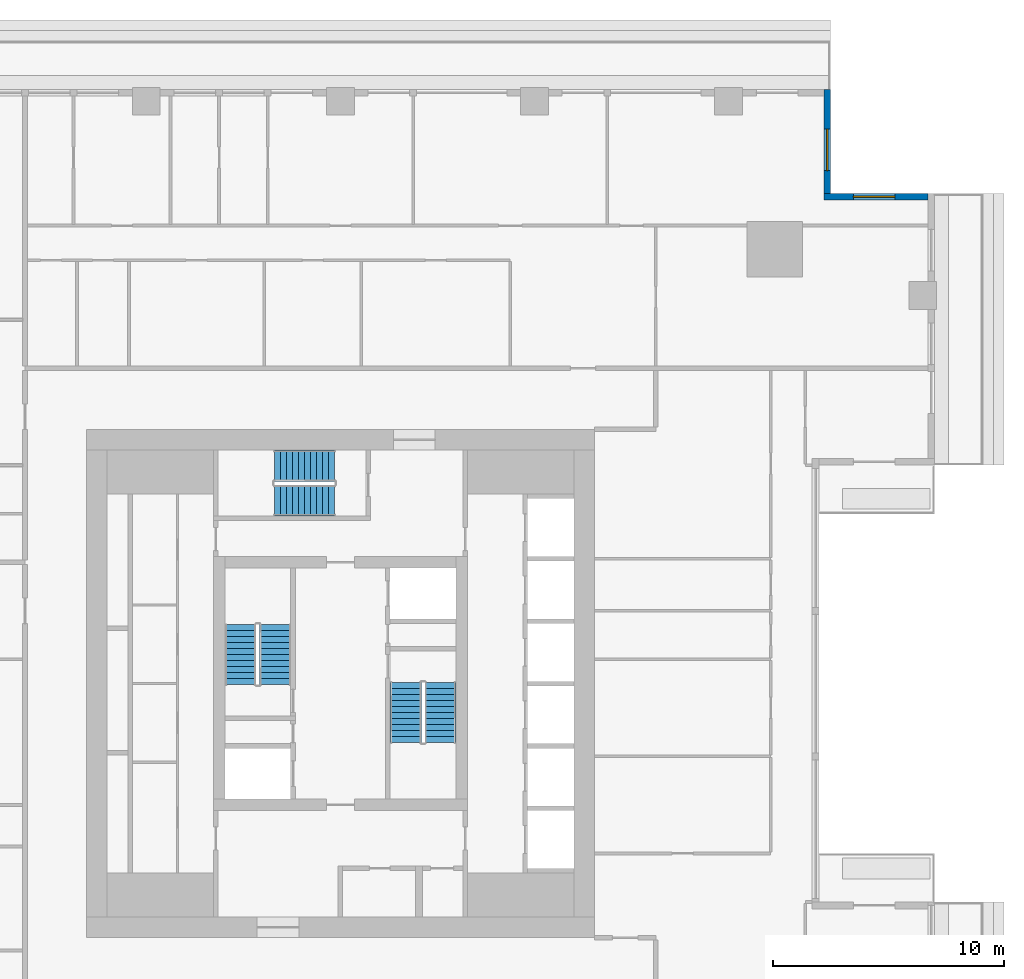
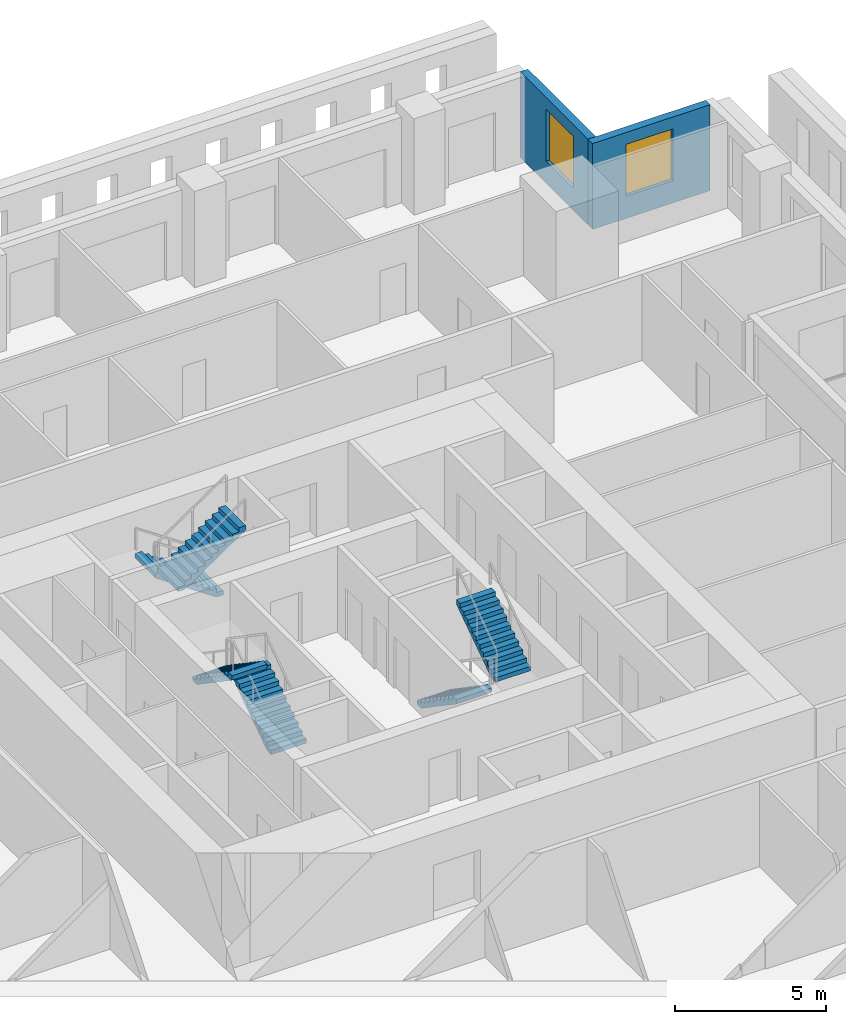
# One storey, part 9 of 15: 6 stair flights, 2 walls, 2 windows, 2 openings, 3 elements without a shape of their own.
"""IFC4 building model written with IfcOpenShell, lengths in metres."""

from ifc_helpers import new_model, si_unit, direction, frame, frame_2d, origin, place, context, subcontext, project, spatial, polyline, rectangle, outline, extrude, material, layer, layer_set, type_object, element, fill, aggregate, save


model = new_model("IFC4")

# Units and contexts
model_context = context("Model", 3, precision=1e-05, world=origin(), true_north=direction((0.0, 1.0)))
body_context = subcontext(model_context, "Body", "Model", "MODEL_VIEW")
ifc_project = project(units=[si_unit("LENGTHUNIT", "METRE"), si_unit("AREAUNIT", "SQUARE_METRE"), si_unit("VOLUMEUNIT", "CUBIC_METRE"), si_unit("PLANEANGLEUNIT", "RADIAN"), si_unit("MASSUNIT", "GRAM", prefix="KILO")], contexts=[model_context])

# Site, building, storey
site_placement = place(None, origin())
site = spatial("IfcSite", under=ifc_project, at=site_placement, CompositionType="ELEMENT")
building_placement = place(site_placement, origin())
building = spatial("IfcBuilding", under=site, at=building_placement, Name="Khepri Terraces", CompositionType="ELEMENT")
storey_placement = place(building_placement, frame((0.0, 0.0, 211.800048828125)))
storey = spatial("IfcBuildingStorey", under=building, at=storey_placement, Name="L50", CompositionType="ELEMENT", Elevation=211.800048828125)

# Wall, opening, window
ifc_material_1 = material(Name="Precast concrete C50/60 warm stone", Category="masonry")
ifc_layer = layer(ifc_material_1, 0.300048828125, Name="Precast concrete C50/60 warm stone", Category="masonry")
ifc_layer_set = layer_set([ifc_layer], Name="Precast concrete C50/60 warm stone")
wall_type = type_object("IfcWallType", Name="WL-EXT-PRECAST-300", PredefinedType="STANDARD", material=ifc_layer_set)
wall_1_placement = place(storey_placement, frame((25.419921875, 21.070068359375, 0.0), z_axis=(0.0, 0.0, 1.0), x_axis=(-1.0, 0.0, 0.0)))
wall_1 = element("IfcWall", 1, at=wall_1_placement, inside=storey, type_object=wall_type, Name="External wall L50 N", PredefinedType="STANDARD", context=body_context, shape_type="SweptSolid", body=[
    extrude(rectangle(XDim=4.5, YDim=0.300048828125, at=frame_2d((2.25, 0.0))), origin(), (0.0, 0.0, 1.0), 3.47998046875),
])
opening_1_placement = place(wall_1_placement, frame((1.419921875, 0.0, 0.89990234375)))
opening_1 = element("IfcOpeningElement", 2, at=opening_1_placement, cuts=wall_1, Name="Opening W1", PredefinedType="OPENING", context=body_context, shape_type="SweptSolid", body=[
    extrude(rectangle(XDim=1.800048828125, YDim=2.10009765625, at=frame_2d((0.89990234375, 1.050048828125))), frame((0.0, 0.16015625, 0.0), z_axis=(0.0, -1.0, 0.0), x_axis=(1.0, 0.0, 0.0)), (0.0, 0.0, 1.0), 0.320068359375),
])
ifc_material_2 = material(Name="Clear glass", Category="glass")
window_type = type_object("IfcWindowType", Name="WIN-RES-1800x2100", PartitioningType="SINGLE_PANEL", PredefinedType="WINDOW", material=ifc_material_2)
window_1_placement = place(opening_1_placement, origin())
window_1 = element("IfcWindow", 3, at=window_1_placement, inside=storey, type_object=window_type, Name="Window L50 N", OverallHeight=2.10009765625, OverallWidth=1.800048828125, PartitioningType="SINGLE_PANEL", PredefinedType="WINDOW", context=body_context, shape_type="SweptSolid", body=[
    extrude(rectangle(XDim=1.800048828125, YDim=2.10009765625, at=frame_2d((0.89990234375, 1.050048828125))), frame((0.0, 0.030029296875, 0.0), z_axis=(0.0, -1.0, 0.0), x_axis=(1.0, 0.0, 0.0)), (0.0, 0.0, 1.0), 0.06005859375),
])
fill(opening_1, window_1)

wall_2_placement = place(storey_placement, frame((21.070068359375, 21.219970703125, 0.0), z_axis=(0.0, 0.0, 1.0), x_axis=(0.0, 1.0, 0.0)))
wall_2 = element("IfcWall", 4, at=wall_2_placement, inside=storey, type_object=wall_type, Name="External wall L50 E", PredefinedType="STANDARD", context=body_context, shape_type="SweptSolid", body=[
    extrude(rectangle(XDim=4.5, YDim=0.300048828125, at=frame_2d((2.25, 0.0))), origin(), (0.0, 0.0, 1.0), 3.47998046875),
])
opening_2_placement = place(wall_2_placement, frame((0.97998046875, 0.0, 0.89990234375)))
opening_2 = element("IfcOpeningElement", 5, at=opening_2_placement, cuts=wall_2, Name="Opening W1", PredefinedType="OPENING", context=body_context, shape_type="SweptSolid", body=[
    extrude(rectangle(XDim=1.800048828125, YDim=2.10009765625, at=frame_2d((0.89990234375, 1.050048828125))), frame((0.0, 0.16015625, 0.0), z_axis=(0.0, -1.0, 0.0), x_axis=(1.0, 0.0, 0.0)), (0.0, 0.0, 1.0), 0.320068359375),
])
window_2_placement = place(opening_2_placement, origin())
window_2 = element("IfcWindow", 6, at=window_2_placement, inside=storey, type_object=window_type, Name="Window L50 E", OverallHeight=2.10009765625, OverallWidth=1.800048828125, PartitioningType="SINGLE_PANEL", PredefinedType="WINDOW", context=body_context, shape_type="SweptSolid", body=[
    extrude(rectangle(XDim=1.800048828125, YDim=2.10009765625, at=frame_2d((0.89990234375, 1.050048828125))), frame((0.0, 0.030029296875, 0.0), z_axis=(0.0, -1.0, 0.0), x_axis=(1.0, 0.0, 0.0)), (0.0, 0.0, 1.0), 0.06005859375),
])
fill(opening_2, window_2)

# Stair, stair flights
ifc_material_3 = material(Name="Concrete C40/50", Category="concrete")
stair_type = type_object("IfcStairType", Name="STAIR-RC-22R", PredefinedType="HALF_TURN_STAIR", material=ifc_material_3)
stair_1_placement = place(storey_placement, origin())
stair_1 = element("IfcStair", 7, at=stair_1_placement, inside=storey, type_object=stair_type, Name="L50 Exit Stair ST-1", PredefinedType="HALF_TURN_STAIR")
stair_flight_type = type_object("IfcStairFlightType", Name="SFL-RC-177.3", PredefinedType="STRAIGHT", material=ifc_material_3)
stair_flight_1_placement = place(storey_placement, frame((-2.824951171875, -0.050048828125, 0.0), z_axis=(0.0, 0.0, 1.0), x_axis=(0.0, 1.0, 0.0)))
stair_flight_1 = element("IfcStairFlight", 8, at=stair_flight_1_placement, type_object=stair_flight_type, Name="ST-1 flight 1", NumberOfRisers=11, NumberOfTreads=10, PredefinedType="STRAIGHT", RiserHeight=0.177272727, TreadLength=0.26, context=body_context, shape_type="SweptSolid", body=[
    extrude(outline(polyline([(0.0, 0.0), (0.0, 0.17724609375), (0.260009765625, 0.17724609375), (0.260009765625, 0.3544921875), (0.52001953125, 0.3544921875), (0.52001953125, 0.53173828125), (0.780029296875, 0.53173828125), (0.780029296875, 0.708984375), (1.0400390625, 0.708984375), (1.0400390625, 0.886474609375), (1.300048828125, 0.886474609375), (1.300048828125, 1.063720703125), (1.56005859375, 1.063720703125), (1.56005859375, 1.240966796875), (1.820068359375, 1.240966796875), (1.820068359375, 1.418212890625), (2.080078125, 1.418212890625), (2.080078125, 1.595458984375), (2.340087890625, 1.595458984375), (2.340087890625, 1.772705078125), (2.60009765625, 1.772705078125), (2.60009765625, 1.949951171875), (2.60009765625, 1.59130859375), (0.26611328125, 0.0), (0.0, 0.0)])), frame((0.0, 0.675048828125, 0.0), z_axis=(0.0, -1.0, 0.0), x_axis=(1.0, 0.0, 0.0)), (0.0, 0.0, 1.0), 1.35009765625),
])
stair_flight_2_placement = place(storey_placement, frame((-4.324951171875, 2.550048828125, 1.949951171875), z_axis=(0.0, 0.0, 1.0), x_axis=(0.0, -1.0, 0.0)))
stair_flight_2 = element("IfcStairFlight", 9, at=stair_flight_2_placement, type_object=stair_flight_type, Name="ST-1 flight 2", NumberOfRisers=11, NumberOfTreads=10, PredefinedType="STRAIGHT", RiserHeight=0.177272727, TreadLength=0.26, context=body_context, shape_type="SweptSolid", body=[
    extrude(outline(polyline([(0.0, 0.0), (0.0, 0.17724609375), (0.260009765625, 0.17724609375), (0.260009765625, 0.3544921875), (0.52001953125, 0.3544921875), (0.52001953125, 0.53173828125), (0.780029296875, 0.53173828125), (0.780029296875, 0.708984375), (1.0400390625, 0.708984375), (1.0400390625, 0.886474609375), (1.300048828125, 0.886474609375), (1.300048828125, 1.063720703125), (1.56005859375, 1.063720703125), (1.56005859375, 1.240966796875), (1.820068359375, 1.240966796875), (1.820068359375, 1.418212890625), (2.080078125, 1.418212890625), (2.080078125, 1.595458984375), (2.340087890625, 1.595458984375), (2.340087890625, 1.772705078125), (2.60009765625, 1.772705078125), (2.60009765625, 1.949951171875), (2.60009765625, 1.59130859375), (0.26611328125, 0.0), (0.0, 0.0)])), frame((0.0, 0.675048828125, 0.0), z_axis=(0.0, -1.0, 0.0), x_axis=(1.0, 0.0, 0.0)), (0.0, 0.0, 1.0), 1.35009765625),
])
aggregate(stair_1, [stair_flight_1, stair_flight_2])

stair_2_placement = place(storey_placement, origin())
stair_2 = element("IfcStair", 10, at=stair_2_placement, inside=storey, type_object=stair_type, Name="L50 Exit Stair ST-2", PredefinedType="HALF_TURN_STAIR")
stair_flight_3_placement = place(storey_placement, frame((2.824951171875, 0.050048828125, 0.0), z_axis=(0.0, 0.0, 1.0), x_axis=(0.0, -1.0, 0.0)))
stair_flight_3 = element("IfcStairFlight", 11, at=stair_flight_3_placement, type_object=stair_flight_type, Name="ST-2 flight 1", NumberOfRisers=11, NumberOfTreads=10, PredefinedType="STRAIGHT", RiserHeight=0.177272727, TreadLength=0.26, context=body_context, shape_type="SweptSolid", body=[
    extrude(outline(polyline([(0.0, 0.0), (0.0, 0.17724609375), (0.260009765625, 0.17724609375), (0.260009765625, 0.3544921875), (0.52001953125, 0.3544921875), (0.52001953125, 0.53173828125), (0.780029296875, 0.53173828125), (0.780029296875, 0.708984375), (1.0400390625, 0.708984375), (1.0400390625, 0.886474609375), (1.300048828125, 0.886474609375), (1.300048828125, 1.063720703125), (1.56005859375, 1.063720703125), (1.56005859375, 1.240966796875), (1.820068359375, 1.240966796875), (1.820068359375, 1.418212890625), (2.080078125, 1.418212890625), (2.080078125, 1.595458984375), (2.340087890625, 1.595458984375), (2.340087890625, 1.772705078125), (2.60009765625, 1.772705078125), (2.60009765625, 1.949951171875), (2.60009765625, 1.59130859375), (0.26611328125, 0.0), (0.0, 0.0)])), frame((0.0, 0.675048828125, 0.0), z_axis=(0.0, -1.0, 0.0), x_axis=(1.0, 0.0, 0.0)), (0.0, 0.0, 1.0), 1.35009765625),
])
stair_flight_4_placement = place(storey_placement, frame((4.324951171875, -2.550048828125, 1.949951171875), z_axis=(0.0, 0.0, 1.0), x_axis=(0.0, 1.0, 0.0)))
stair_flight_4 = element("IfcStairFlight", 12, at=stair_flight_4_placement, type_object=stair_flight_type, Name="ST-2 flight 2", NumberOfRisers=11, NumberOfTreads=10, PredefinedType="STRAIGHT", RiserHeight=0.177272727, TreadLength=0.26, context=body_context, shape_type="SweptSolid", body=[
    extrude(outline(polyline([(0.0, 0.0), (0.0, 0.17724609375), (0.260009765625, 0.17724609375), (0.260009765625, 0.3544921875), (0.52001953125, 0.3544921875), (0.52001953125, 0.53173828125), (0.780029296875, 0.53173828125), (0.780029296875, 0.708984375), (1.0400390625, 0.708984375), (1.0400390625, 0.886474609375), (1.300048828125, 0.886474609375), (1.300048828125, 1.063720703125), (1.56005859375, 1.063720703125), (1.56005859375, 1.240966796875), (1.820068359375, 1.240966796875), (1.820068359375, 1.418212890625), (2.080078125, 1.418212890625), (2.080078125, 1.595458984375), (2.340087890625, 1.595458984375), (2.340087890625, 1.772705078125), (2.60009765625, 1.772705078125), (2.60009765625, 1.949951171875), (2.60009765625, 1.59130859375), (0.26611328125, 0.0), (0.0, 0.0)])), frame((0.0, 0.675048828125, 0.0), z_axis=(0.0, -1.0, 0.0), x_axis=(1.0, 0.0, 0.0)), (0.0, 0.0, 1.0), 1.35009765625),
])
aggregate(stair_2, [stair_flight_3, stair_flight_4])

stair_3_placement = place(storey_placement, origin())
stair_3 = element("IfcStair", 13, at=stair_3_placement, inside=storey, type_object=stair_type, Name="L50 Exit Stair ST-3", PredefinedType="HALF_TURN_STAIR")
stair_flight_5_placement = place(storey_placement, frame((-0.25, 9.425048828125, 0.0), z_axis=(0.0, 0.0, 1.0), x_axis=(-1.0, 0.0, 0.0)))
stair_flight_5 = element("IfcStairFlight", 14, at=stair_flight_5_placement, type_object=stair_flight_type, Name="ST-3 flight 1", NumberOfRisers=11, NumberOfTreads=10, PredefinedType="STRAIGHT", RiserHeight=0.177272727, TreadLength=0.26, context=body_context, shape_type="SweptSolid", body=[
    extrude(outline(polyline([(0.0, 0.0), (0.0, 0.17724609375), (0.260009765625, 0.17724609375), (0.260009765625, 0.3544921875), (0.52001953125, 0.3544921875), (0.52001953125, 0.53173828125), (0.780029296875, 0.53173828125), (0.780029296875, 0.708984375), (1.0400390625, 0.708984375), (1.0400390625, 0.886474609375), (1.300048828125, 0.886474609375), (1.300048828125, 1.063720703125), (1.56005859375, 1.063720703125), (1.56005859375, 1.240966796875), (1.820068359375, 1.240966796875), (1.820068359375, 1.418212890625), (2.080078125, 1.418212890625), (2.080078125, 1.595458984375), (2.340087890625, 1.595458984375), (2.340087890625, 1.772705078125), (2.60009765625, 1.772705078125), (2.60009765625, 1.949951171875), (2.60009765625, 1.59130859375), (0.26611328125, 0.0), (0.0, 0.0)])), frame((0.0, 0.675048828125, 0.0), z_axis=(0.0, -1.0, 0.0), x_axis=(1.0, 0.0, 0.0)), (0.0, 0.0, 1.0), 1.35009765625),
])
stair_flight_6_placement = place(storey_placement, frame((-2.85009765625, 7.925048828125, 1.949951171875), z_axis=(0.0, 0.0, 1.0), x_axis=(1.0, 0.0, 0.0)))
stair_flight_6 = element("IfcStairFlight", 15, at=stair_flight_6_placement, type_object=stair_flight_type, Name="ST-3 flight 2", NumberOfRisers=11, NumberOfTreads=10, PredefinedType="STRAIGHT", RiserHeight=0.177272727, TreadLength=0.26, context=body_context, shape_type="SweptSolid", body=[
    extrude(outline(polyline([(0.0, 0.0), (0.0, 0.17724609375), (0.260009765625, 0.17724609375), (0.260009765625, 0.3544921875), (0.52001953125, 0.3544921875), (0.52001953125, 0.53173828125), (0.780029296875, 0.53173828125), (0.780029296875, 0.708984375), (1.0400390625, 0.708984375), (1.0400390625, 0.886474609375), (1.300048828125, 0.886474609375), (1.300048828125, 1.063720703125), (1.56005859375, 1.063720703125), (1.56005859375, 1.240966796875), (1.820068359375, 1.240966796875), (1.820068359375, 1.418212890625), (2.080078125, 1.418212890625), (2.080078125, 1.595458984375), (2.340087890625, 1.595458984375), (2.340087890625, 1.772705078125), (2.60009765625, 1.772705078125), (2.60009765625, 1.949951171875), (2.60009765625, 1.59130859375), (0.26611328125, 0.0), (0.0, 0.0)])), frame((0.0, 0.675048828125, 0.0), z_axis=(0.0, -1.0, 0.0), x_axis=(1.0, 0.0, 0.0)), (0.0, 0.0, 1.0), 1.35009765625),
])
aggregate(stair_3, [stair_flight_5, stair_flight_6])

save(model, "model.ifc")
